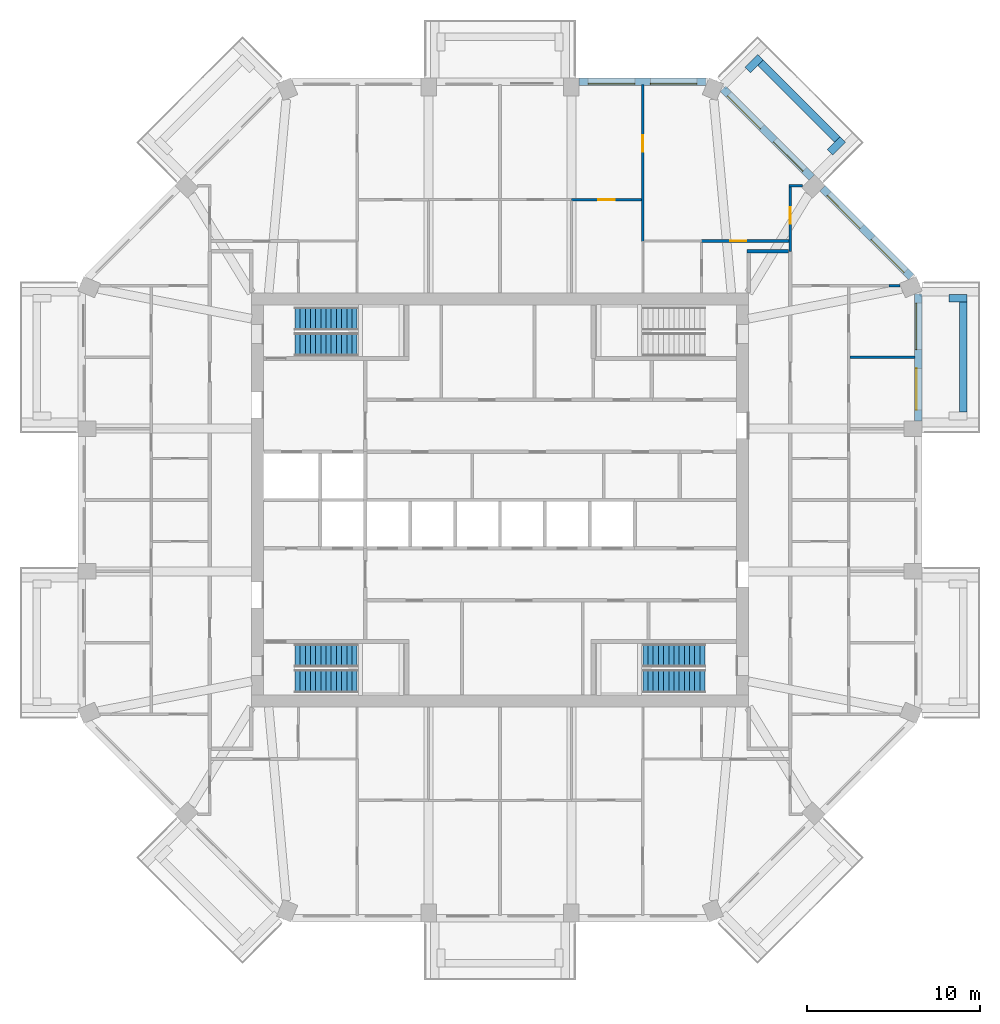
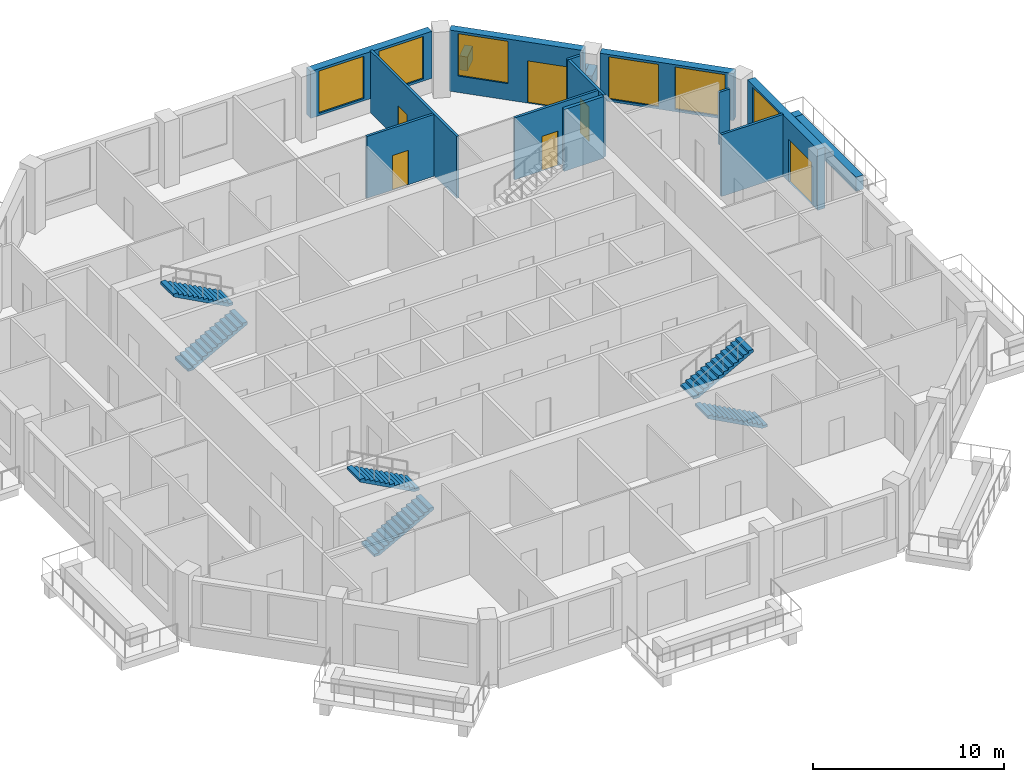
# One storey, part 9 of 12: 17 walls, 6 doors, 6 stair flights, 6 windows, 12 openings, 3 elements without a shape of their own.
"""IFC4 building model written with IfcOpenShell, lengths in metres."""

from ifc_helpers import new_model, si_unit, direction, frame, frame_2d, origin, place, context, subcontext, project, spatial, polyline, rectangle, outline, extrude, material, layer, layer_set, type_object, element, fill, aggregate, save


model = new_model("IFC4")

# Units and contexts
model_context = context("Model", 3, precision=1e-05, world=origin(), true_north=direction((0.0, 1.0)))
body_context = subcontext(model_context, "Body", "Model", "MODEL_VIEW")
ifc_project = project(units=[si_unit("LENGTHUNIT", "METRE"), si_unit("AREAUNIT", "SQUARE_METRE"), si_unit("VOLUMEUNIT", "CUBIC_METRE"), si_unit("PLANEANGLEUNIT", "RADIAN"), si_unit("MASSUNIT", "GRAM", prefix="KILO")], contexts=[model_context])

# Site, building, storey
site_placement = place(None, origin())
site = spatial("IfcSite", under=ifc_project, at=site_placement, CompositionType="ELEMENT")
building_placement = place(site_placement, origin())
building = spatial("IfcBuilding", under=site, at=building_placement, Name="Msitu Wima Residences", CompositionType="ELEMENT")
storey_placement = place(building_placement, frame((0.0, 0.0, 170.699951171875)))
storey = spatial("IfcBuildingStorey", under=building, at=storey_placement, Name="L39", CompositionType="ELEMENT", Elevation=170.699951171875)

# Walls
ifc_material_1 = material(Name="Facing brick")
ifc_layer_1 = layer(ifc_material_1, 0.06494140625, Name="Facing brick")
ifc_material_2 = material(Name="Concrete C40/50", Category="concrete")
ifc_layer_2 = layer(ifc_material_2, 0.156005859375, Name="Concrete C40/50")
ifc_material_3 = material(Name="Waterproofing membrane")
ifc_layer_3 = layer(ifc_material_3, 0.00390625, Name="Waterproofing membrane")
ifc_material_4 = material(Name="Planting soil and planting")
ifc_layer_4 = layer(ifc_material_4, 0.22509765625, Name="Planting soil and planting")
ifc_layer_set_1 = layer_set([ifc_layer_1, ifc_layer_2, ifc_layer_3, ifc_layer_4], Name="Concrete C40/50")
wall_type_1 = type_object("IfcWallType", Name="Balcony planter PLANTER PL450", PredefinedType="USERDEFINED", material=ifc_layer_set_1)
wall_1_placement = place(storey_placement, frame((26.824951171875, 5.087158203125, 0.0), z_axis=(0.0, 0.0, 1.0), x_axis=(0.0, 1.0, 0.0)))
element("IfcWall", 1, at=wall_1_placement, inside=storey, type_object=wall_type_1, Name="Balcony planter E2 L39", ObjectType="PLANTER", PredefinedType="USERDEFINED", context=body_context, shape_type="SweptSolid", body=[
    extrude(rectangle(XDim=6.37451171875, YDim=0.449951171875, at=frame_2d((3.187255859375, 0.0))), origin(), (0.0, 0.0, 1.0), 0.900146484375),
])
wall_2_placement = place(storey_placement, frame((26.0, 11.686767578125, 0.0), z_axis=(0.0, 0.0, 1.0), x_axis=(1.0, 0.0, 0.0)))
element("IfcWall", 2, at=wall_2_placement, inside=storey, type_object=wall_type_1, Name="Balcony planter E2 L39", ObjectType="PLANTER", PredefinedType="USERDEFINED", context=body_context, shape_type="SweptSolid", body=[
    extrude(rectangle(XDim=1.050048828125, YDim=0.449951171875, at=frame_2d((0.52490234375, 0.0))), origin(), (0.0, 0.0, 1.0), 0.900146484375),
])
wall_3_placement = place(storey_placement, frame((19.53173828125, 20.875244140625, 0.0), z_axis=(0.0, 0.0, 1.0), x_axis=(-0.707106781187, 0.707106781187, 0.0)))
element("IfcWall", 3, at=wall_3_placement, inside=storey, type_object=wall_type_1, Name="Balcony planter NE1 L39", ObjectType="PLANTER", PredefinedType="USERDEFINED", context=body_context, shape_type="SweptSolid", body=[
    extrude(rectangle(XDim=6.294189453125, YDim=0.449951171875, at=frame_2d((3.14697265625, 0.0))), origin(), (0.0, 0.0, 1.0), 0.900146484375),
])
for number, where, z_axis, x_axis, name in (
    (4, (19.107421875, 20.1328125, 0.0), (0.0, 0.0, 1.0), (0.707106781187, 0.707106781187, 0.0), "Balcony planter NE1 L39"),
    (5, (14.338623046875, 24.901611328125, 0.0), (0.0, 0.0, 1.0), (0.707106781187, 0.707106781187, 0.0), "Balcony planter NE1 L39"),
):
    element("IfcWall", number, at=place(storey_placement, frame(where, z_axis=z_axis, x_axis=x_axis)), inside=storey, type_object=wall_type_1, Name=name, ObjectType="PLANTER", PredefinedType="USERDEFINED", context=body_context, shape_type="SweptSolid", body=[
        extrude(rectangle(XDim=1.050048828125, YDim=0.449951171875, at=frame_2d((0.52490234375, 0.0))), origin(), (0.0, 0.0, 1.0), 0.900146484375),
    ])

# Wall, openings, door, window
ifc_material_5 = material(Name="Brick (red buff mix)", Category="masonry")
ifc_layer_5 = layer(ifc_material_5, 0.449951171875)
ifc_layer_set_2 = layer_set([ifc_layer_5], Name="Brick (red buff mix)")
wall_type_2 = type_object("IfcWallType", Name="Brick infill wall BW450", PredefinedType="SOLIDWALL", material=ifc_layer_set_2)
wall_4_placement = place(storey_placement, frame((24.22509765625, 4.587158203125, 0.0), z_axis=(0.0, 0.0, 1.0), x_axis=(0.0, 1.0, 0.0)))
wall_4 = element("IfcWall", 6, at=wall_4_placement, inside=storey, type_object=wall_type_2, Name="Brick infill wall L39 E2", PredefinedType="SOLIDWALL", context=body_context, shape_type="SweptSolid", body=[
    extrude(rectangle(XDim=7.337646484375, YDim=0.449951171875, at=frame_2d((3.6689453125, 0.0))), origin(), (0.0, 0.0, 1.0), 3.900146484375),
])
opening_1_placement = place(wall_4_placement, frame((0.63427734375, 0.0, 0.0)))
opening_1 = element("IfcOpeningElement", 7, at=opening_1_placement, cuts=wall_4, Name="Opening D38-39.002", PredefinedType="OPENING", context=body_context, shape_type="SweptSolid", body=[
    extrude(rectangle(XDim=2.39990234375, YDim=2.699951171875, at=frame_2d((1.199951171875, 1.35009765625))), frame((0.0, 0.23486328125, 0.0), z_axis=(0.0, -1.0, 0.0), x_axis=(1.0, 0.0, 0.0)), (0.0, 0.0, 1.0), 0.469970703125),
])
opening_2_placement = place(wall_4_placement, frame((4.11865234375, 0.0, 1.050048828125)))
opening_2 = element("IfcOpeningElement", 8, at=opening_2_placement, cuts=wall_4, Name="Opening W38-39.004", PredefinedType="OPENING", context=body_context, shape_type="SweptSolid", body=[
    extrude(rectangle(XDim=2.699951171875, YDim=2.699951171875, at=frame_2d((1.35009765625, 1.35009765625))), frame((0.0, 0.23486328125, 0.0), z_axis=(0.0, -1.0, 0.0), x_axis=(1.0, 0.0, 0.0)), (0.0, 0.0, 1.0), 0.469970703125),
])
ifc_material_6 = material(Name="Anodised aluminium, bronze finish, clear low-emissivity double glazing", Category="aluminium")
door_type_1 = type_object("IfcDoorType", Name="Balcony door D2400x2700", OperationType="SLIDING_TO_LEFT", PredefinedType="DOOR", material=ifc_material_6)
door_1_placement = place(opening_1_placement, origin())
door_1 = element("IfcDoor", 9, at=door_1_placement, inside=storey, type_object=door_type_1, Name="Balcony door L39 E2", OperationType="SINGLE_SWING_LEFT", OverallHeight=2.699951171875, OverallWidth=2.39990234375, PredefinedType="DOOR", context=body_context, shape_type="SweptSolid", body=[
    extrude(rectangle(XDim=2.39990234375, YDim=2.699951171875, at=frame_2d((1.199951171875, 1.35009765625))), frame((0.0, 0.1298828125, 0.0), z_axis=(0.0, -1.0, 0.0), x_axis=(1.0, 0.0, 0.0)), (0.0, 0.0, 1.0), 0.050048828125),
])
fill(opening_1, door_1)
window_type = type_object("IfcWindowType", Name="Window W2700x2700", PartitioningType="DOUBLE_PANEL_VERTICAL", PredefinedType="WINDOW", material=ifc_material_6)
window_1_placement = place(opening_2_placement, origin())
window_1 = element("IfcWindow", 10, at=window_1_placement, inside=storey, type_object=window_type, Name="Window L39 E2.2", OverallHeight=2.699951171875, OverallWidth=2.699951171875, PartitioningType="SINGLE_PANEL", PredefinedType="WINDOW", context=body_context, shape_type="SweptSolid", body=[
    extrude(rectangle(XDim=2.699951171875, YDim=2.699951171875, at=frame_2d((1.35009765625, 1.35009765625))), frame((0.0, 0.135009765625, 0.0), z_axis=(0.0, -1.0, 0.0), x_axis=(1.0, 0.0, 0.0)), (0.0, 0.0, 1.0), 0.06005859375),
])
fill(opening_2, window_1)

# Wall, openings, windows
wall_5_placement = place(storey_placement, frame((23.814697265625, 12.915283203125, 0.900146484375), z_axis=(0.0, 0.0, 1.0), x_axis=(-0.707106781187, 0.707106781187, 0.0)))
wall_5 = element("IfcWall", 11, at=wall_5_placement, inside=storey, type_object=wall_type_2, Name="Brick infill wall L39 NE0", PredefinedType="SOLIDWALL", context=body_context, shape_type="SweptSolid", body=[
    extrude(rectangle(XDim=7.257080078125, YDim=0.449951171875, at=frame_2d((3.62841796875, 0.0))), origin(), (0.0, 0.0, 1.0), 3.0),
])
opening_3_placement = place(wall_5_placement, frame((0.478515625, 0.0, 0.14990234375)))
opening_3 = element("IfcOpeningElement", 12, at=opening_3_placement, cuts=wall_5, Name="Opening W38-39.010", PredefinedType="OPENING", context=body_context, shape_type="SweptSolid", body=[
    extrude(rectangle(XDim=2.699951171875, YDim=2.699951171875, at=frame_2d((1.35009765625, 1.35009765625))), frame((0.0, 0.23486328125, 0.0), z_axis=(0.0, -1.0, 0.0), x_axis=(1.0, 0.0, 0.0)), (0.0, 0.0, 1.0), 0.469970703125),
])
opening_4_placement = place(wall_5_placement, frame((4.07861328125, 0.0, 0.14990234375)))
opening_4 = element("IfcOpeningElement", 13, at=opening_4_placement, cuts=wall_5, Name="Opening W38-39.011", PredefinedType="OPENING", context=body_context, shape_type="SweptSolid", body=[
    extrude(rectangle(XDim=2.699951171875, YDim=2.699951171875, at=frame_2d((1.35009765625, 1.35009765625))), frame((0.0, 0.23486328125, 0.0), z_axis=(0.0, -1.0, 0.0), x_axis=(1.0, 0.0, 0.0)), (0.0, 0.0, 1.0), 0.469970703125),
])
window_2_placement = place(opening_3_placement, origin())
window_2 = element("IfcWindow", 14, at=window_2_placement, inside=storey, type_object=window_type, Name="Window L39 NE0.1", OverallHeight=2.699951171875, OverallWidth=2.699951171875, PartitioningType="SINGLE_PANEL", PredefinedType="WINDOW", context=body_context, shape_type="SweptSolid", body=[
    extrude(rectangle(XDim=2.699951171875, YDim=2.699951171875, at=frame_2d((1.35009765625, 1.35009765625))), frame((0.0, 0.135009765625, 0.0), z_axis=(0.0, -1.0, 0.0), x_axis=(1.0, 0.0, 0.0)), (0.0, 0.0, 1.0), 0.06005859375),
])
fill(opening_3, window_2)
window_3_placement = place(opening_4_placement, origin())
window_3 = element("IfcWindow", 15, at=window_3_placement, inside=storey, type_object=window_type, Name="Window L39 NE0.2", OverallHeight=2.699951171875, OverallWidth=2.699951171875, PartitioningType="SINGLE_PANEL", PredefinedType="WINDOW", context=body_context, shape_type="SweptSolid", body=[
    extrude(rectangle(XDim=2.699951171875, YDim=2.699951171875, at=frame_2d((1.35009765625, 1.35009765625))), frame((0.0, 0.135009765625, 0.0), z_axis=(0.0, -1.0, 0.0), x_axis=(1.0, 0.0, 0.0)), (0.0, 0.0, 1.0), 0.06005859375),
])
fill(opening_4, window_3)

# Wall, openings, door, window
wall_6_placement = place(storey_placement, frame((18.046875, 18.68310546875, 0.0), z_axis=(0.0, 0.0, 1.0), x_axis=(-0.707106781187, 0.707106781187, 0.0)))
wall_6 = element("IfcWall", 16, at=wall_6_placement, inside=storey, type_object=wall_type_2, Name="Brick infill wall L39 NE1", PredefinedType="SOLIDWALL", context=body_context, shape_type="SweptSolid", body=[
    extrude(rectangle(XDim=7.257080078125, YDim=0.449951171875, at=frame_2d((3.62841796875, 0.0))), origin(), (0.0, 0.0, 1.0), 3.900146484375),
])
opening_5_placement = place(wall_6_placement, frame((0.6142578125, 0.0, 0.0)))
opening_5 = element("IfcOpeningElement", 17, at=opening_5_placement, cuts=wall_6, Name="Opening D38-39.004", PredefinedType="OPENING", context=body_context, shape_type="SweptSolid", body=[
    extrude(rectangle(XDim=2.39990234375, YDim=2.699951171875, at=frame_2d((1.199951171875, 1.35009765625))), frame((0.0, 0.23486328125, 0.0), z_axis=(0.0, -1.0, 0.0), x_axis=(1.0, 0.0, 0.0)), (0.0, 0.0, 1.0), 0.469970703125),
])
opening_6_placement = place(wall_6_placement, frame((4.07861328125, 0.0, 1.050048828125)))
opening_6 = element("IfcOpeningElement", 18, at=opening_6_placement, cuts=wall_6, Name="Opening W38-39.012", PredefinedType="OPENING", context=body_context, shape_type="SweptSolid", body=[
    extrude(rectangle(XDim=2.699951171875, YDim=2.699951171875, at=frame_2d((1.35009765625, 1.35009765625))), frame((0.0, 0.23486328125, 0.0), z_axis=(0.0, -1.0, 0.0), x_axis=(1.0, 0.0, 0.0)), (0.0, 0.0, 1.0), 0.469970703125),
])
door_2_placement = place(opening_5_placement, origin())
door_2 = element("IfcDoor", 19, at=door_2_placement, inside=storey, type_object=door_type_1, Name="Balcony door L39 NE1", OperationType="SINGLE_SWING_LEFT", OverallHeight=2.699951171875, OverallWidth=2.39990234375, PredefinedType="DOOR", context=body_context, shape_type="SweptSolid", body=[
    extrude(rectangle(XDim=2.39990234375, YDim=2.699951171875, at=frame_2d((1.199951171875, 1.35009765625))), frame((0.0, 0.1298828125, 0.0), z_axis=(0.0, -1.0, 0.0), x_axis=(1.0, 0.0, 0.0)), (0.0, 0.0, 1.0), 0.050048828125),
])
fill(opening_5, door_2)
window_4_placement = place(opening_6_placement, origin())
window_4 = element("IfcWindow", 20, at=window_4_placement, inside=storey, type_object=window_type, Name="Window L39 NE1.2", OverallHeight=2.699951171875, OverallWidth=2.699951171875, PartitioningType="SINGLE_PANEL", PredefinedType="WINDOW", context=body_context, shape_type="SweptSolid", body=[
    extrude(rectangle(XDim=2.699951171875, YDim=2.699951171875, at=frame_2d((1.35009765625, 1.35009765625))), frame((0.0, 0.135009765625, 0.0), z_axis=(0.0, -1.0, 0.0), x_axis=(1.0, 0.0, 0.0)), (0.0, 0.0, 1.0), 0.06005859375),
])
fill(opening_6, window_4)

# Wall, openings, windows
wall_7_placement = place(storey_placement, frame((11.9248046875, 24.22509765625, 0.900146484375), z_axis=(0.0, 0.0, 1.0), x_axis=(-1.0, 0.0, 0.0)))
wall_7 = element("IfcWall", 21, at=wall_7_placement, inside=storey, type_object=wall_type_2, Name="Brick infill wall L39 N0", PredefinedType="SOLIDWALL", context=body_context, shape_type="SweptSolid", body=[
    extrude(rectangle(XDim=7.337646484375, YDim=0.449951171875, at=frame_2d((3.6689453125, 0.0))), origin(), (0.0, 0.0, 1.0), 3.0),
])
opening_7_placement = place(wall_7_placement, frame((0.518798828125, 0.0, 0.14990234375)))
opening_7 = element("IfcOpeningElement", 22, at=opening_7_placement, cuts=wall_7, Name="Opening W38-39.005", PredefinedType="OPENING", context=body_context, shape_type="SweptSolid", body=[
    extrude(rectangle(XDim=2.699951171875, YDim=2.699951171875, at=frame_2d((1.35009765625, 1.35009765625))), frame((0.0, 0.23486328125, 0.0), z_axis=(0.0, -1.0, 0.0), x_axis=(1.0, 0.0, 0.0)), (0.0, 0.0, 1.0), 0.469970703125),
])
opening_8_placement = place(wall_7_placement, frame((4.11865234375, 0.0, 0.14990234375)))
opening_8 = element("IfcOpeningElement", 23, at=opening_8_placement, cuts=wall_7, Name="Opening W38-39.006", PredefinedType="OPENING", context=body_context, shape_type="SweptSolid", body=[
    extrude(rectangle(XDim=2.699951171875, YDim=2.699951171875, at=frame_2d((1.35009765625, 1.35009765625))), frame((0.0, 0.23486328125, 0.0), z_axis=(0.0, -1.0, 0.0), x_axis=(1.0, 0.0, 0.0)), (0.0, 0.0, 1.0), 0.469970703125),
])
window_5_placement = place(opening_7_placement, origin())
window_5 = element("IfcWindow", 24, at=window_5_placement, inside=storey, type_object=window_type, Name="Window L39 N0.1", OverallHeight=2.699951171875, OverallWidth=2.699951171875, PartitioningType="SINGLE_PANEL", PredefinedType="WINDOW", context=body_context, shape_type="SweptSolid", body=[
    extrude(rectangle(XDim=2.699951171875, YDim=2.699951171875, at=frame_2d((1.35009765625, 1.35009765625))), frame((0.0, 0.135009765625, 0.0), z_axis=(0.0, -1.0, 0.0), x_axis=(1.0, 0.0, 0.0)), (0.0, 0.0, 1.0), 0.06005859375),
])
fill(opening_7, window_5)
window_6_placement = place(opening_8_placement, origin())
window_6 = element("IfcWindow", 25, at=window_6_placement, inside=storey, type_object=window_type, Name="Window L39 N0.2", OverallHeight=2.699951171875, OverallWidth=2.699951171875, PartitioningType="SINGLE_PANEL", PredefinedType="WINDOW", context=body_context, shape_type="SweptSolid", body=[
    extrude(rectangle(XDim=2.699951171875, YDim=2.699951171875, at=frame_2d((1.35009765625, 1.35009765625))), frame((0.0, 0.135009765625, 0.0), z_axis=(0.0, -1.0, 0.0), x_axis=(1.0, 0.0, 0.0)), (0.0, 0.0, 1.0), 0.06005859375),
])
fill(opening_8, window_6)

# Wall
ifc_material_7 = material(Name="Plaster")
ifc_layer_6 = layer(ifc_material_7, 0.011962890625, Name="Plaster")
ifc_material_8 = material(Name="Concrete blockwork", Category="masonry")
ifc_layer_7 = layer(ifc_material_8, 0.176025390625, Name="Concrete blockwork")
ifc_layer_8 = layer(ifc_material_7, 0.011962890625, Name="Plaster")
ifc_layer_set_3 = layer_set([ifc_layer_6, ifc_layer_7, ifc_layer_8], Name="Concrete blockwork")
wall_type_3 = type_object("IfcWallType", Name="Corridor wall FW200", PredefinedType="PARTITIONING", material=ifc_layer_set_3)
wall_8_placement = place(storey_placement, frame((14.300048828125, 14.39990234375, 0.0), z_axis=(0.0, 0.0, 1.0), x_axis=(1.0, 0.0, 0.0)))
element("IfcWall", 26, at=wall_8_placement, inside=storey, type_object=wall_type_3, Name="Corridor wall", PredefinedType="PARTITIONING", context=body_context, shape_type="SweptSolid", body=[
    extrude(rectangle(XDim=2.39990234375, YDim=0.199951171875, at=frame_2d((1.199951171875, 0.0))), origin(), (0.0, 0.0, 1.0), 3.949951171875),
])

# Wall, opening, door
ifc_layer_9 = layer(ifc_material_7, 0.011962890625, Name="Plaster")
ifc_layer_10 = layer(ifc_material_8, 0.1259765625, Name="Concrete blockwork")
ifc_layer_11 = layer(ifc_material_7, 0.011962890625, Name="Plaster")
ifc_layer_set_4 = layer_set([ifc_layer_9, ifc_layer_10, ifc_layer_11], Name="Concrete blockwork")
wall_type_4 = type_object("IfcWallType", Name="Partition PW150", PredefinedType="PARTITIONING", material=ifc_layer_set_4)
wall_9_placement = place(storey_placement, frame((4.13720703125, 17.39990234375, 0.0), z_axis=(0.0, 0.0, 1.0), x_axis=(1.0, 0.0, 0.0)))
wall_9 = element("IfcWall", 27, at=wall_9_placement, inside=storey, type_object=wall_type_4, Name="Partition", PredefinedType="PARTITIONING", context=body_context, shape_type="SweptSolid", body=[
    extrude(rectangle(XDim=4.062255859375, YDim=0.14990234375, at=frame_2d((2.03125, 0.0))), origin(), (0.0, 0.0, 1.0), 3.949951171875),
])
opening_9_placement = place(wall_9_placement, frame((1.550048828125, 0.0, 0.0)))
opening_9 = element("IfcOpeningElement", 28, at=opening_9_placement, cuts=wall_9, Name="Opening D38-39.013", PredefinedType="OPENING", context=body_context, shape_type="SweptSolid", body=[
    extrude(rectangle(XDim=0.949951171875, YDim=2.199951171875, at=frame_2d((0.47509765625, 1.10009765625))), frame((0.0, 0.0849609375, 0.0), z_axis=(0.0, -1.0, 0.0), x_axis=(1.0, 0.0, 0.0)), (0.0, 0.0, 1.0), 0.169921875),
])
ifc_material_9 = material(Name="Timber flush door", Category="wood")
door_type_2 = type_object("IfcDoorType", Name="Room door D12 950x2200", OperationType="SINGLE_SWING_LEFT", PredefinedType="DOOR", material=ifc_material_9)
door_3_placement = place(opening_9_placement, origin())
door_3 = element("IfcDoor", 29, at=door_3_placement, inside=storey, type_object=door_type_2, Name="Room door", OperationType="SINGLE_SWING_RIGHT", OverallHeight=2.199951171875, OverallWidth=0.949951171875, PredefinedType="DOOR", context=body_context, shape_type="SweptSolid", body=[
    extrude(rectangle(XDim=0.949951171875, YDim=2.199951171875, at=frame_2d((0.47509765625, 1.10009765625))), frame((0.0, 0.02490234375, 0.0), z_axis=(0.0, -1.0, 0.0), x_axis=(1.0, 0.0, 0.0)), (0.0, 0.0, 1.0), 0.050048828125),
])
fill(opening_9, door_3)

wall_10_placement = place(storey_placement, frame((8.2744140625, 14.97998046875, 0.0), z_axis=(0.0, 0.0, 1.0), x_axis=(0.0, 1.0, 0.0)))
wall_10 = element("IfcWall", 30, at=wall_10_placement, inside=storey, type_object=wall_type_4, Name="Partition", PredefinedType="PARTITIONING", context=body_context, shape_type="SweptSolid", body=[
    extrude(rectangle(XDim=9.074951171875, YDim=0.14990234375, at=frame_2d((4.53759765625, 0.0))), origin(), (0.0, 0.0, 1.0), 3.949951171875),
])
opening_10_placement = place(wall_10_placement, frame((5.199951171875, 0.0, 0.0)))
opening_10 = element("IfcOpeningElement", 31, at=opening_10_placement, cuts=wall_10, Name="Opening D38-39.020", PredefinedType="OPENING", context=body_context, shape_type="SweptSolid", body=[
    extrude(rectangle(XDim=0.949951171875, YDim=2.199951171875, at=frame_2d((0.47509765625, 1.10009765625))), frame((0.0, 0.0849609375, 0.0), z_axis=(0.0, -1.0, 0.0), x_axis=(1.0, 0.0, 0.0)), (0.0, 0.0, 1.0), 0.169921875),
])
door_4_placement = place(opening_10_placement, origin())
door_4 = element("IfcDoor", 32, at=door_4_placement, inside=storey, type_object=door_type_2, Name="Room door", OperationType="SINGLE_SWING_LEFT", OverallHeight=2.199951171875, OverallWidth=0.949951171875, PredefinedType="DOOR", context=body_context, shape_type="SweptSolid", body=[
    extrude(rectangle(XDim=0.949951171875, YDim=2.199951171875, at=frame_2d((0.47509765625, 1.10009765625))), frame((0.0, 0.02490234375, 0.0), z_axis=(0.0, -1.0, 0.0), x_axis=(1.0, 0.0, 0.0)), (0.0, 0.0, 1.0), 0.050048828125),
])
fill(opening_10, door_4)

wall_11_placement = place(storey_placement, frame((11.674560546875, 15.0, 0.0), z_axis=(0.0, 0.0, 1.0), x_axis=(1.0, 0.0, 0.0)))
wall_11 = element("IfcWall", 33, at=wall_11_placement, inside=storey, type_object=wall_type_4, Name="Partition", PredefinedType="PARTITIONING", context=body_context, shape_type="SweptSolid", body=[
    extrude(rectangle(XDim=5.050537109375, YDim=0.14990234375, at=frame_2d((2.525390625, 0.0))), origin(), (0.0, 0.0, 1.0), 3.949951171875),
])
opening_11_placement = place(wall_11_placement, frame((1.64990234375, 0.0, 0.0)))
opening_11 = element("IfcOpeningElement", 34, at=opening_11_placement, cuts=wall_11, Name="Opening D38-39.021", PredefinedType="OPENING", context=body_context, shape_type="SweptSolid", body=[
    extrude(rectangle(XDim=0.949951171875, YDim=2.199951171875, at=frame_2d((0.47509765625, 1.10009765625))), frame((0.0, 0.0849609375, 0.0), z_axis=(0.0, -1.0, 0.0), x_axis=(1.0, 0.0, 0.0)), (0.0, 0.0, 1.0), 0.169921875),
])
door_5_placement = place(opening_11_placement, origin())
door_5 = element("IfcDoor", 35, at=door_5_placement, inside=storey, type_object=door_type_2, Name="Room door", OperationType="SINGLE_SWING_RIGHT", OverallHeight=2.199951171875, OverallWidth=0.949951171875, PredefinedType="DOOR", context=body_context, shape_type="SweptSolid", body=[
    extrude(rectangle(XDim=0.949951171875, YDim=2.199951171875, at=frame_2d((0.47509765625, 1.10009765625))), frame((0.0, 0.02490234375, 0.0), z_axis=(0.0, -1.0, 0.0), x_axis=(1.0, 0.0, 0.0)), (0.0, 0.0, 1.0), 0.050048828125),
])
fill(opening_11, door_5)

# Wall
wall_12_placement = place(storey_placement, frame((22.538330078125, 12.411865234375, 0.0), z_axis=(0.0, 0.0, 1.0), x_axis=(1.0, 0.0, 0.0)))
element("IfcWall", 36, at=wall_12_placement, inside=storey, type_object=wall_type_4, Name="Partition", PredefinedType="PARTITIONING", context=body_context, shape_type="SweptSolid", body=[
    extrude(rectangle(XDim=0.630615234375, YDim=0.14990234375, at=frame_2d((0.3154296875, 0.0))), origin(), (0.0, 0.0, 1.0), 3.35009765625),
])

# Wall, opening, door
wall_13_placement = place(storey_placement, frame((16.800048828125, 14.39990234375, 0.0), z_axis=(0.0, 0.0, 1.0), x_axis=(0.0, 1.0, 0.0)))
wall_13 = element("IfcWall", 37, at=wall_13_placement, inside=storey, type_object=wall_type_4, Name="Partition", PredefinedType="PARTITIONING", context=body_context, shape_type="SweptSolid", body=[
    extrude(rectangle(XDim=3.73095703125, YDim=0.14990234375, at=frame_2d((1.865478515625, 0.0))), origin(), (0.0, 0.0, 1.0), 3.949951171875),
])
opening_12_placement = place(wall_13_placement, frame((1.60009765625, 0.0, 0.0)))
opening_12 = element("IfcOpeningElement", 38, at=opening_12_placement, cuts=wall_13, Name="Opening D38-39.019", PredefinedType="OPENING", context=body_context, shape_type="SweptSolid", body=[
    extrude(rectangle(XDim=0.949951171875, YDim=2.199951171875, at=frame_2d((0.47509765625, 1.10009765625))), frame((0.0, 0.0849609375, 0.0), z_axis=(0.0, -1.0, 0.0), x_axis=(1.0, 0.0, 0.0)), (0.0, 0.0, 1.0), 0.169921875),
])
door_6_placement = place(opening_12_placement, origin())
door_6 = element("IfcDoor", 39, at=door_6_placement, inside=storey, type_object=door_type_2, Name="Room door", OperationType="SINGLE_SWING_LEFT", OverallHeight=2.199951171875, OverallWidth=0.949951171875, PredefinedType="DOOR", context=body_context, shape_type="SweptSolid", body=[
    extrude(rectangle(XDim=0.949951171875, YDim=2.199951171875, at=frame_2d((0.47509765625, 1.10009765625))), frame((0.0, 0.02490234375, 0.0), z_axis=(0.0, -1.0, 0.0), x_axis=(1.0, 0.0, 0.0)), (0.0, 0.0, 1.0), 0.050048828125),
])
fill(opening_12, door_6)

# Walls
wall_14_placement = place(storey_placement, frame((16.72509765625, 18.205810546875, 0.0), z_axis=(0.0, 0.0, 1.0), x_axis=(1.0, 0.0, 0.0)))
element("IfcWall", 40, at=wall_14_placement, inside=storey, type_object=wall_type_4, Name="Partition", PredefinedType="PARTITIONING", context=body_context, shape_type="SweptSolid", body=[
    extrude(rectangle(XDim=0.784423828125, YDim=0.14990234375, at=frame_2d((0.39208984375, 0.0))), origin(), (0.0, 0.0, 1.0), 3.949951171875),
])
wall_15_placement = place(storey_placement, frame((20.27490234375, 8.2744140625, 0.0), z_axis=(0.0, 0.0, 1.0), x_axis=(1.0, 0.0, 0.0)))
element("IfcWall", 41, at=wall_15_placement, inside=storey, type_object=wall_type_4, Name="Partition", PredefinedType="PARTITIONING", context=body_context, shape_type="SweptSolid", body=[
    extrude(rectangle(XDim=3.75, YDim=0.14990234375, at=frame_2d((1.875, 0.0))), origin(), (0.0, 0.0, 1.0), 3.949951171875),
])

# Stair, stair flights
stair_type = type_object("IfcStairType", Name="Exit stair ES1615-135", PredefinedType="HALF_TURN_STAIR", material=ifc_material_2)
stair_1_placement = place(storey_placement, origin())
stair_1 = element("IfcStair", 42, at=stair_1_placement, inside=storey, type_object=stair_type, Name="Exit stair 1", PredefinedType="HALF_TURN_STAIR")
stair_flight_type = type_object("IfcStairFlightType", Name="Exit stair flight ES1615-135", PredefinedType="STRAIGHT", material=ifc_material_2)
stair_flight_1_placement = place(storey_placement, frame((-11.875, 9.0, 0.0), z_axis=(0.0, 0.0, 1.0), x_axis=(1.0, 0.0, 0.0)))
stair_flight_1 = element("IfcStairFlight", 43, at=stair_flight_1_placement, type_object=stair_flight_type, Name="S1 flight 1", NumberOfRisers=13, NumberOfTreads=12, PredefinedType="STRAIGHT", RiserHeight=0.161538462, TreadLength=0.3, context=body_context, shape_type="SweptSolid", body=[
    extrude(outline(polyline([(0.0, 0.0), (0.0, 0.16162109375), (0.300048828125, 0.16162109375), (0.300048828125, 0.322998046875), (0.60009765625, 0.322998046875), (0.60009765625, 0.484619140625), (0.89990234375, 0.484619140625), (0.89990234375, 0.646240234375), (1.199951171875, 0.646240234375), (1.199951171875, 0.8076171875), (1.5, 0.8076171875), (1.5, 0.96923828125), (1.800048828125, 0.96923828125), (1.800048828125, 1.130859375), (2.10009765625, 1.130859375), (2.10009765625, 1.292236328125), (2.39990234375, 1.292236328125), (2.39990234375, 1.453857421875), (2.699951171875, 1.453857421875), (2.699951171875, 1.615478515625), (3.0, 1.615478515625), (3.0, 1.77685546875), (3.300048828125, 1.77685546875), (3.300048828125, 1.9384765625), (3.60009765625, 1.9384765625), (3.60009765625, 2.10009765625), (3.60009765625, 1.768310546875), (0.316162109375, 0.0), (0.0, 0.0)])), frame((0.0, 0.675048828125, 0.0), z_axis=(0.0, -1.0, 0.0), x_axis=(1.0, 0.0, 0.0)), (0.0, 0.0, 1.0), 1.35009765625),
])
stair_flight_2_placement = place(storey_placement, frame((-8.27490234375, 10.5, 2.10009765625), z_axis=(0.0, 0.0, 1.0), x_axis=(-1.0, 0.0, 0.0)))
stair_flight_2 = element("IfcStairFlight", 44, at=stair_flight_2_placement, type_object=stair_flight_type, Name="S1 flight 2", NumberOfRisers=13, NumberOfTreads=12, PredefinedType="STRAIGHT", RiserHeight=0.161538462, TreadLength=0.3, context=body_context, shape_type="SweptSolid", body=[
    extrude(outline(polyline([(0.0, 0.0), (0.0, 0.16162109375), (0.300048828125, 0.16162109375), (0.300048828125, 0.322998046875), (0.60009765625, 0.322998046875), (0.60009765625, 0.484619140625), (0.89990234375, 0.484619140625), (0.89990234375, 0.646240234375), (1.199951171875, 0.646240234375), (1.199951171875, 0.8076171875), (1.5, 0.8076171875), (1.5, 0.96923828125), (1.800048828125, 0.96923828125), (1.800048828125, 1.130859375), (2.10009765625, 1.130859375), (2.10009765625, 1.292236328125), (2.39990234375, 1.292236328125), (2.39990234375, 1.453857421875), (2.699951171875, 1.453857421875), (2.699951171875, 1.615478515625), (3.0, 1.615478515625), (3.0, 1.77685546875), (3.300048828125, 1.77685546875), (3.300048828125, 1.9384765625), (3.60009765625, 1.9384765625), (3.60009765625, 2.10009765625), (3.60009765625, 1.768310546875), (0.316162109375, 0.0), (0.0, 0.0)])), frame((0.0, 0.675048828125, 0.0), z_axis=(0.0, -1.0, 0.0), x_axis=(1.0, 0.0, 0.0)), (0.0, 0.0, 1.0), 1.35009765625),
])
aggregate(stair_1, [stair_flight_1, stair_flight_2])

stair_2_placement = place(storey_placement, origin())
stair_2 = element("IfcStair", 45, at=stair_2_placement, inside=storey, type_object=stair_type, Name="Exit stair 2", PredefinedType="HALF_TURN_STAIR")
stair_flight_3_placement = place(storey_placement, frame((-11.875, -10.5, 0.0), z_axis=(0.0, 0.0, 1.0), x_axis=(1.0, 0.0, 0.0)))
stair_flight_3 = element("IfcStairFlight", 46, at=stair_flight_3_placement, type_object=stair_flight_type, Name="S2 flight 1", NumberOfRisers=13, NumberOfTreads=12, PredefinedType="STRAIGHT", RiserHeight=0.161538462, TreadLength=0.3, context=body_context, shape_type="SweptSolid", body=[
    extrude(outline(polyline([(0.0, 0.0), (0.0, 0.16162109375), (0.300048828125, 0.16162109375), (0.300048828125, 0.322998046875), (0.60009765625, 0.322998046875), (0.60009765625, 0.484619140625), (0.89990234375, 0.484619140625), (0.89990234375, 0.646240234375), (1.199951171875, 0.646240234375), (1.199951171875, 0.8076171875), (1.5, 0.8076171875), (1.5, 0.96923828125), (1.800048828125, 0.96923828125), (1.800048828125, 1.130859375), (2.10009765625, 1.130859375), (2.10009765625, 1.292236328125), (2.39990234375, 1.292236328125), (2.39990234375, 1.453857421875), (2.699951171875, 1.453857421875), (2.699951171875, 1.615478515625), (3.0, 1.615478515625), (3.0, 1.77685546875), (3.300048828125, 1.77685546875), (3.300048828125, 1.9384765625), (3.60009765625, 1.9384765625), (3.60009765625, 2.10009765625), (3.60009765625, 1.768310546875), (0.316162109375, 0.0), (0.0, 0.0)])), frame((0.0, 0.675048828125, 0.0), z_axis=(0.0, -1.0, 0.0), x_axis=(1.0, 0.0, 0.0)), (0.0, 0.0, 1.0), 1.35009765625),
])
stair_flight_4_placement = place(storey_placement, frame((-8.27490234375, -9.0, 2.10009765625), z_axis=(0.0, 0.0, 1.0), x_axis=(-1.0, 0.0, 0.0)))
stair_flight_4 = element("IfcStairFlight", 47, at=stair_flight_4_placement, type_object=stair_flight_type, Name="S2 flight 2", NumberOfRisers=13, NumberOfTreads=12, PredefinedType="STRAIGHT", RiserHeight=0.161538462, TreadLength=0.3, context=body_context, shape_type="SweptSolid", body=[
    extrude(outline(polyline([(0.0, 0.0), (0.0, 0.16162109375), (0.300048828125, 0.16162109375), (0.300048828125, 0.322998046875), (0.60009765625, 0.322998046875), (0.60009765625, 0.484619140625), (0.89990234375, 0.484619140625), (0.89990234375, 0.646240234375), (1.199951171875, 0.646240234375), (1.199951171875, 0.8076171875), (1.5, 0.8076171875), (1.5, 0.96923828125), (1.800048828125, 0.96923828125), (1.800048828125, 1.130859375), (2.10009765625, 1.130859375), (2.10009765625, 1.292236328125), (2.39990234375, 1.292236328125), (2.39990234375, 1.453857421875), (2.699951171875, 1.453857421875), (2.699951171875, 1.615478515625), (3.0, 1.615478515625), (3.0, 1.77685546875), (3.300048828125, 1.77685546875), (3.300048828125, 1.9384765625), (3.60009765625, 1.9384765625), (3.60009765625, 2.10009765625), (3.60009765625, 1.768310546875), (0.316162109375, 0.0), (0.0, 0.0)])), frame((0.0, 0.675048828125, 0.0), z_axis=(0.0, -1.0, 0.0), x_axis=(1.0, 0.0, 0.0)), (0.0, 0.0, 1.0), 1.35009765625),
])
aggregate(stair_2, [stair_flight_3, stair_flight_4])

stair_3_placement = place(storey_placement, origin())
stair_3 = element("IfcStair", 48, at=stair_3_placement, inside=storey, type_object=stair_type, Name="Exit stair 4", PredefinedType="HALF_TURN_STAIR")
stair_flight_5_placement = place(storey_placement, frame((11.875, -10.5, 0.0), z_axis=(0.0, 0.0, 1.0), x_axis=(-1.0, 0.0, 0.0)))
stair_flight_5 = element("IfcStairFlight", 49, at=stair_flight_5_placement, type_object=stair_flight_type, Name="S4 flight 1", NumberOfRisers=13, NumberOfTreads=12, PredefinedType="STRAIGHT", RiserHeight=0.161538462, TreadLength=0.3, context=body_context, shape_type="SweptSolid", body=[
    extrude(outline(polyline([(0.0, 0.0), (0.0, 0.16162109375), (0.300048828125, 0.16162109375), (0.300048828125, 0.322998046875), (0.60009765625, 0.322998046875), (0.60009765625, 0.484619140625), (0.89990234375, 0.484619140625), (0.89990234375, 0.646240234375), (1.199951171875, 0.646240234375), (1.199951171875, 0.8076171875), (1.5, 0.8076171875), (1.5, 0.96923828125), (1.800048828125, 0.96923828125), (1.800048828125, 1.130859375), (2.10009765625, 1.130859375), (2.10009765625, 1.292236328125), (2.39990234375, 1.292236328125), (2.39990234375, 1.453857421875), (2.699951171875, 1.453857421875), (2.699951171875, 1.615478515625), (3.0, 1.615478515625), (3.0, 1.77685546875), (3.300048828125, 1.77685546875), (3.300048828125, 1.9384765625), (3.60009765625, 1.9384765625), (3.60009765625, 2.10009765625), (3.60009765625, 1.768310546875), (0.316162109375, 0.0), (0.0, 0.0)])), frame((0.0, 0.675048828125, 0.0), z_axis=(0.0, -1.0, 0.0), x_axis=(1.0, 0.0, 0.0)), (0.0, 0.0, 1.0), 1.35009765625),
])
stair_flight_6_placement = place(storey_placement, frame((8.27490234375, -9.0, 2.10009765625), z_axis=(0.0, 0.0, 1.0), x_axis=(1.0, 0.0, 0.0)))
stair_flight_6 = element("IfcStairFlight", 50, at=stair_flight_6_placement, type_object=stair_flight_type, Name="S4 flight 2", NumberOfRisers=13, NumberOfTreads=12, PredefinedType="STRAIGHT", RiserHeight=0.161538462, TreadLength=0.3, context=body_context, shape_type="SweptSolid", body=[
    extrude(outline(polyline([(0.0, 0.0), (0.0, 0.16162109375), (0.300048828125, 0.16162109375), (0.300048828125, 0.322998046875), (0.60009765625, 0.322998046875), (0.60009765625, 0.484619140625), (0.89990234375, 0.484619140625), (0.89990234375, 0.646240234375), (1.199951171875, 0.646240234375), (1.199951171875, 0.8076171875), (1.5, 0.8076171875), (1.5, 0.96923828125), (1.800048828125, 0.96923828125), (1.800048828125, 1.130859375), (2.10009765625, 1.130859375), (2.10009765625, 1.292236328125), (2.39990234375, 1.292236328125), (2.39990234375, 1.453857421875), (2.699951171875, 1.453857421875), (2.699951171875, 1.615478515625), (3.0, 1.615478515625), (3.0, 1.77685546875), (3.300048828125, 1.77685546875), (3.300048828125, 1.9384765625), (3.60009765625, 1.9384765625), (3.60009765625, 2.10009765625), (3.60009765625, 1.768310546875), (0.316162109375, 0.0), (0.0, 0.0)])), frame((0.0, 0.675048828125, 0.0), z_axis=(0.0, -1.0, 0.0), x_axis=(1.0, 0.0, 0.0)), (0.0, 0.0, 1.0), 1.35009765625),
])
aggregate(stair_3, [stair_flight_5, stair_flight_6])

save(model, "model.ifc")
